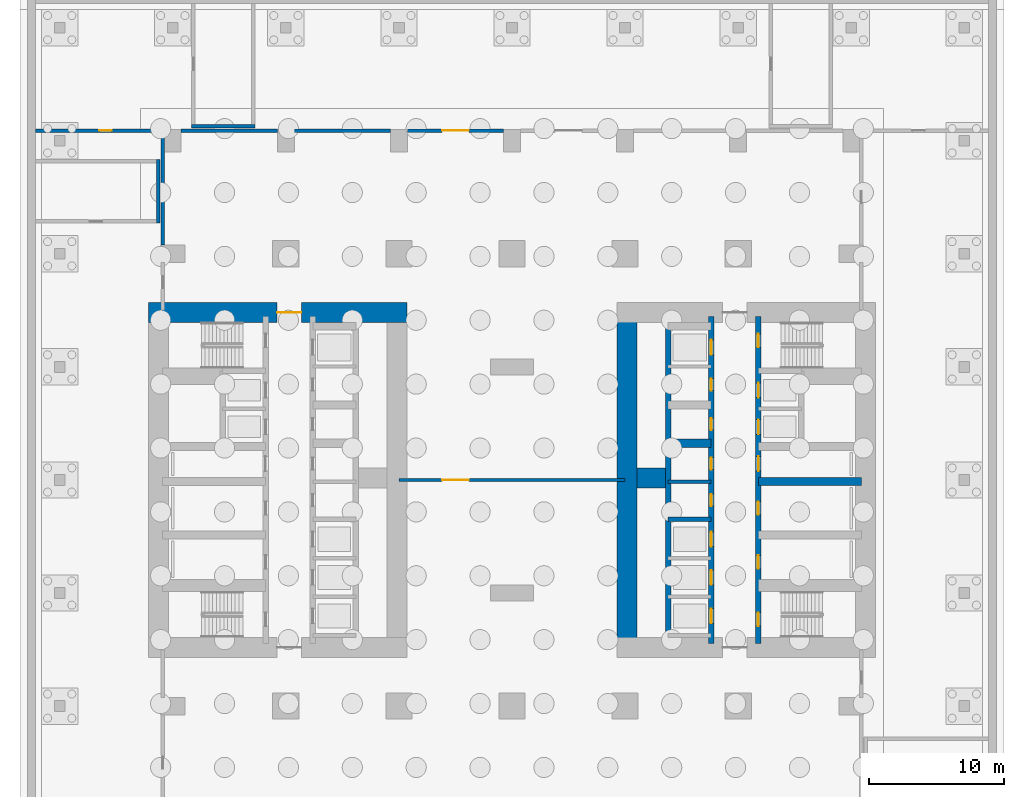
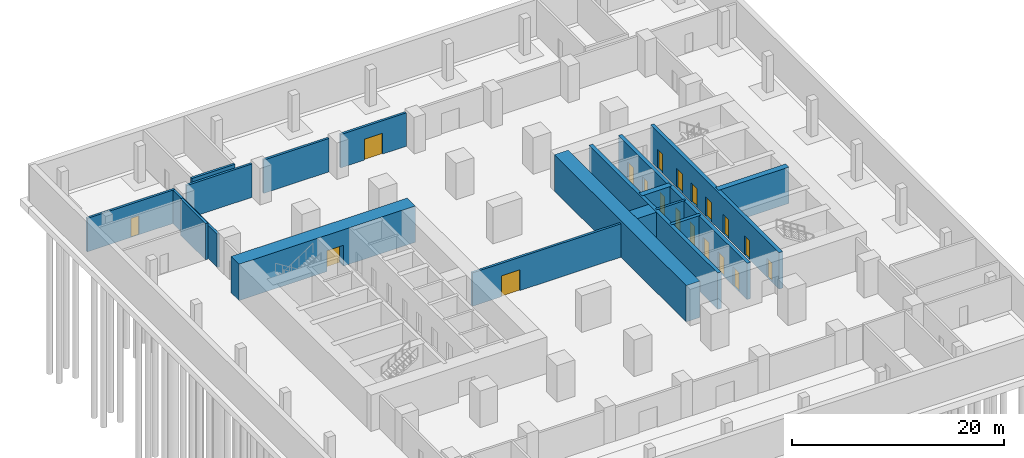
# One storey, part 6 of 11: 19 doors, 18 walls, 19 openings.
"""IFC4 building model written with IfcOpenShell, lengths in metres."""

from ifc_helpers import new_model, si_unit, direction, frame, frame_2d, origin, place, context, subcontext, project, spatial, rectangle, extrude, material, layer, layer_set, type_object, element, fill, save


model = new_model("IFC4")

# Units and contexts
model_context = context("Model", 3, precision=1e-05, world=origin(), true_north=direction((0.0, 1.0)))
body_context = subcontext(model_context, "Body", "Model", "MODEL_VIEW")
ifc_project = project(units=[si_unit("LENGTHUNIT", "METRE"), si_unit("AREAUNIT", "SQUARE_METRE"), si_unit("VOLUMEUNIT", "CUBIC_METRE"), si_unit("PLANEANGLEUNIT", "RADIAN"), si_unit("MASSUNIT", "GRAM", prefix="KILO")], contexts=[model_context])

# Site, building, storey
site_placement = place(None, origin())
site = spatial("IfcSite", under=ifc_project, at=site_placement, CompositionType="ELEMENT")
building_placement = place(site_placement, origin())
building = spatial("IfcBuilding", under=site, at=building_placement, Name="Claustro Exchange Tower", CompositionType="ELEMENT")
storey_placement = place(building_placement, frame((0.0, 0.0, -8.39990234375)))
storey = spatial("IfcBuildingStorey", under=building, at=storey_placement, Name="B2", CompositionType="ELEMENT", Elevation=-8.39990234375)

# Wall, opening, door
ifc_material_1 = material(Name="Concrete blockwork, rendered", Category="masonry")
ifc_layer_1 = layer(ifc_material_1, 0.25)
ifc_layer_set_1 = layer_set([ifc_layer_1], Name="Concrete blockwork, rendered")
wall_type_1 = type_object("IfcWallType", Name="P4 250 blockwork wall", PredefinedType="PARTITIONING", material=ifc_layer_set_1)
wall_1_placement = place(storey_placement, frame((-10.199951171875, 51.14990234375, 0.0), z_axis=(0.0, 0.0, 1.0), x_axis=(1.0, 0.0, 0.0)))
wall_1 = element("IfcWall", 1, at=wall_1_placement, inside=storey, type_object=wall_type_1, Name="Partition P4 B2", PredefinedType="PARTITIONING", context=body_context, shape_type="SweptSolid", body=[
    extrude(rectangle(XDim=9.575927734375, YDim=0.25, at=frame_2d((4.7880859375, 0.0))), origin(), (0.0, 0.0, 1.0), 3.849853515625),
])
opening_1_placement = place(wall_1_placement, frame((4.75, 0.0, 0.0)))
opening_1 = element("IfcOpeningElement", 2, at=opening_1_placement, cuts=wall_1, Name="Opening D12", PredefinedType="OPENING", context=body_context, shape_type="SweptSolid", body=[
    extrude(rectangle(XDim=0.89990234375, YDim=2.199951171875, at=frame_2d((0.449951171875, 1.10009765625))), frame((0.0, 0.135009765625, 0.0), z_axis=(0.0, -1.0, 0.0), x_axis=(1.0, 0.0, 0.0)), (0.0, 0.0, 1.0), 0.27001953125),
])
ifc_material_2 = material(Name="Steel door, painted", Category="steel")
door_type_1 = type_object("IfcDoorType", Name="D12 900 x 2200 plant and store room door", OperationType="SINGLE_SWING_LEFT", PredefinedType="DOOR", material=ifc_material_2)
door_1_placement = place(opening_1_placement, frame((0.89990234375, 0.0, 0.0), z_axis=(0.0, 0.0, 1.0), x_axis=(-1.0, 0.0, 0.0)))
door_1 = element("IfcDoor", 3, at=door_1_placement, inside=storey, type_object=door_type_1, Name="Door D12 B2", OperationType="SINGLE_SWING_LEFT", OverallHeight=2.199951171875, OverallWidth=0.89990234375, PredefinedType="DOOR", context=body_context, shape_type="SweptSolid", body=[
    extrude(rectangle(XDim=0.89990234375, YDim=2.199951171875, at=frame_2d((0.449951171875, 1.10009765625))), frame((0.0, 0.02490234375, 0.0), z_axis=(0.0, -1.0, 0.0), x_axis=(1.0, 0.0, 0.0)), (0.0, 0.0, 1.0), 0.050048828125),
])
fill(opening_1, door_1)

# Walls
wall_2_placement = place(storey_placement, frame((0.6240234375, 51.14990234375, 0.0), z_axis=(0.0, 0.0, 1.0), x_axis=(1.0, 0.0, 0.0)))
element("IfcWall", 4, at=wall_2_placement, inside=storey, type_object=wall_type_1, Name="Partition P4 B2", PredefinedType="PARTITIONING", context=body_context, shape_type="SweptSolid", body=[
    extrude(rectangle(XDim=7.15185546875, YDim=0.25, at=frame_2d((3.575927734375, 0.0))), origin(), (0.0, 0.0, 1.0), 3.849853515625),
])
wall_3_placement = place(storey_placement, frame((9.02392578125, 51.14990234375, 0.0), z_axis=(0.0, 0.0, 1.0), x_axis=(1.0, 0.0, 0.0)))
element("IfcWall", 5, at=wall_3_placement, inside=storey, type_object=wall_type_1, Name="Partition P4 B2", PredefinedType="PARTITIONING", context=body_context, shape_type="SweptSolid", body=[
    extrude(rectangle(XDim=7.152099609375, YDim=0.25, at=frame_2d((3.576171875, 0.0))), origin(), (0.0, 0.0, 1.0), 3.849853515625),
])

# Wall, opening, door
wall_4_placement = place(storey_placement, frame((17.424072265625, 51.14990234375, 0.0), z_axis=(0.0, 0.0, 1.0), x_axis=(1.0, 0.0, 0.0)))
wall_4 = element("IfcWall", 6, at=wall_4_placement, inside=storey, type_object=wall_type_1, Name="Partition P4 B2", PredefinedType="PARTITIONING", context=body_context, shape_type="SweptSolid", body=[
    extrude(rectangle(XDim=7.15185546875, YDim=0.25, at=frame_2d((3.575927734375, 0.0))), origin(), (0.0, 0.0, 1.0), 3.849853515625),
])
opening_2_placement = place(wall_4_placement, frame((2.575927734375, 0.0, 0.0)))
opening_2 = element("IfcOpeningElement", 7, at=opening_2_placement, cuts=wall_4, Name="Opening D9", PredefinedType="OPENING", context=body_context, shape_type="SweptSolid", body=[
    extrude(rectangle(XDim=2.0, YDim=2.39990234375, at=frame_2d((1.0, 1.199951171875))), frame((0.0, 0.135009765625, 0.0), z_axis=(0.0, -1.0, 0.0), x_axis=(1.0, 0.0, 0.0)), (0.0, 0.0, 1.0), 0.27001953125),
])
ifc_material_3 = material(Name="Steel fire door, painted", Category="steel")
door_type_2 = type_object("IfcDoorType", Name="D9 2000 x 2400 plant room double door", OperationType="DOUBLE_DOOR_SINGLE_SWING", PredefinedType="DOOR", material=ifc_material_3)
door_2_placement = place(opening_2_placement, frame((2.0, 0.0, 0.0), z_axis=(0.0, 0.0, 1.0), x_axis=(-1.0, 0.0, 0.0)))
door_2 = element("IfcDoor", 8, at=door_2_placement, inside=storey, type_object=door_type_2, Name="Double door D9 B2", OperationType="DOUBLE_DOOR_SINGLE_SWING", OverallHeight=2.39990234375, OverallWidth=2.0, PredefinedType="DOOR", context=body_context, shape_type="SweptSolid", body=[
    extrude(rectangle(XDim=2.0, YDim=2.39990234375, at=frame_2d((1.0, 1.199951171875))), frame((0.0, 0.02490234375, 0.0), z_axis=(0.0, -1.0, 0.0), x_axis=(1.0, 0.0, 0.0)), (0.0, 0.0, 1.0), 0.050048828125),
])
fill(opening_2, door_2)

# Wall
wall_5_placement = place(storey_placement, frame((-0.75, 42.64892578125, 0.0), z_axis=(0.0, 0.0, 1.0), x_axis=(0.0, 1.0, 0.0)))
element("IfcWall", 9, at=wall_5_placement, inside=storey, type_object=wall_type_1, Name="Partition P4 B2", PredefinedType="PARTITIONING", context=body_context, shape_type="SweptSolid", body=[
    extrude(rectangle(XDim=8.376953125, YDim=0.25, at=frame_2d((4.1884765625, 0.0))), origin(), (0.0, 0.0, 1.0), 3.849853515625),
])

# Wall, opening, door
wall_6_placement = place(storey_placement, frame((16.820068359375, 25.199951171875, 0.0), z_axis=(0.0, 0.0, 1.0), x_axis=(1.0, 0.0, 0.0)))
wall_6 = element("IfcWall", 10, at=wall_6_placement, inside=storey, type_object=wall_type_1, Name="Partition P4 B2", PredefinedType="PARTITIONING", context=body_context, shape_type="SweptSolid", body=[
    extrude(rectangle(XDim=16.760009765625, YDim=0.25, at=frame_2d((8.3798828125, 0.0))), origin(), (0.0, 0.0, 1.0), 3.849853515625),
])
opening_3_placement = place(wall_6_placement, frame((3.179931640625, 0.0, 0.0)))
opening_3 = element("IfcOpeningElement", 11, at=opening_3_placement, cuts=wall_6, Name="Opening D9", PredefinedType="OPENING", context=body_context, shape_type="SweptSolid", body=[
    extrude(rectangle(XDim=2.0, YDim=2.39990234375, at=frame_2d((1.0, 1.199951171875))), frame((0.0, 0.135009765625, 0.0), z_axis=(0.0, -1.0, 0.0), x_axis=(1.0, 0.0, 0.0)), (0.0, 0.0, 1.0), 0.27001953125),
])
door_3_placement = place(opening_3_placement, origin())
door_3 = element("IfcDoor", 12, at=door_3_placement, inside=storey, type_object=door_type_2, Name="Double door D9 B2", OperationType="DOUBLE_DOOR_SINGLE_SWING", OverallHeight=2.39990234375, OverallWidth=2.0, PredefinedType="DOOR", context=body_context, shape_type="SweptSolid", body=[
    extrude(rectangle(XDim=2.0, YDim=2.39990234375, at=frame_2d((1.0, 1.199951171875))), frame((0.0, 0.02490234375, 0.0), z_axis=(0.0, -1.0, 0.0), x_axis=(1.0, 0.0, 0.0)), (0.0, 0.0, 1.0), 0.050048828125),
])
fill(opening_3, door_3)

ifc_material_4 = material(Name="Concrete HA-70 (C70/85)", Category="concrete")
ifc_layer_2 = layer(ifc_material_4, 1.5)
ifc_layer_set_2 = layer_set([ifc_layer_2], Name="Concrete HA-70 (C70/85)")
wall_type_2 = type_object("IfcWallType", Name="SW10 1500 core shear wall", PredefinedType="SHEAR", material=ifc_layer_set_2)
wall_7_placement = place(storey_placement, frame((-1.800048828125, 37.64990234375, 0.0), z_axis=(0.0, 0.0, 1.0), x_axis=(1.0, 0.0, 0.0)))
wall_7 = element("IfcWall", 13, at=wall_7_placement, inside=storey, type_object=wall_type_2, Name="Core wall SW10 W core N face B2", PredefinedType="SHEAR", context=body_context, shape_type="SweptSolid", body=[
    extrude(rectangle(XDim=19.199951171875, YDim=1.5, at=frame_2d((9.60009765625, 0.0))), origin(), (0.0, 0.0, 1.0), 4.199951171875),
])
opening_4_placement = place(wall_7_placement, frame((9.550048828125, 0.0, 0.0)))
opening_4 = element("IfcOpeningElement", 14, at=opening_4_placement, cuts=wall_7, Name="Opening D3", PredefinedType="OPENING", context=body_context, shape_type="SweptSolid", body=[
    extrude(rectangle(XDim=1.800048828125, YDim=2.39990234375, at=frame_2d((0.89990234375, 1.199951171875))), frame((0.0, 0.760009765625, 0.0), z_axis=(0.0, -1.0, 0.0), x_axis=(1.0, 0.0, 0.0)), (0.0, 0.0, 1.0), 1.52001953125),
])
ifc_material_5 = material(Name="Steel fire door, painted", Category="steel")
door_type_3 = type_object("IfcDoorType", Name="D3 1800 x 2400 fire-rated lobby double door", OperationType="DOUBLE_DOOR_SINGLE_SWING", PredefinedType="DOOR", material=ifc_material_5)
door_4_placement = place(opening_4_placement, origin())
door_4 = element("IfcDoor", 15, at=door_4_placement, inside=storey, type_object=door_type_3, Name="Lift lobby door D3 B2", OperationType="DOUBLE_DOOR_SINGLE_SWING", OverallHeight=2.39990234375, OverallWidth=1.800048828125, PredefinedType="DOOR", context=body_context, shape_type="SweptSolid", body=[
    extrude(rectangle(XDim=1.800048828125, YDim=2.39990234375, at=frame_2d((0.89990234375, 1.199951171875))), frame((0.0, 0.02490234375, 0.0), z_axis=(0.0, -1.0, 0.0), x_axis=(1.0, 0.0, 0.0)), (0.0, 0.0, 1.0), 0.050048828125),
])
fill(opening_4, door_4)

# Walls
ifc_material_6 = material(Name="Concrete HA-70 (C70/85)", Category="concrete")
ifc_layer_3 = layer(ifc_material_6, 1.5)
ifc_layer_set_3 = layer_set([ifc_layer_3], Name="Concrete HA-70 (C70/85)")
wall_type_3 = type_object("IfcWallType", Name="SW10X 1500 exposed core shear wall, board-marked face", PredefinedType="SHEAR", material=ifc_layer_set_3)
wall_8_placement = place(storey_placement, frame((33.75, 12.75, 0.0), z_axis=(0.0, 0.0, 1.0), x_axis=(0.0, 1.0, 0.0)))
element("IfcWall", 16, at=wall_8_placement, inside=storey, type_object=wall_type_3, Name="Core wall SW10X E core W face B2", PredefinedType="SHEAR", context=body_context, shape_type="SweptSolid", body=[
    extrude(rectangle(XDim=24.89990234375, YDim=1.5, at=frame_2d((12.449951171875, 0.0))), origin(), (0.0, 0.0, 1.0), 4.199951171875),
])
ifc_material_7 = material(Name="Concrete HA-50 (C50/60)", Category="concrete")
ifc_layer_4 = layer(ifc_material_7, 0.60009765625)
ifc_layer_set_4 = layer_set([ifc_layer_4], Name="Concrete HA-50 (C50/60)")
wall_type_4 = type_object("IfcWallType", Name="SW12 600 internal core wall, core base", PredefinedType="SHEAR", material=ifc_layer_set_4)
wall_9_placement = place(storey_placement, frame((51.14990234375, 25.10009765625, 0.0), z_axis=(0.0, 0.0, 1.0), x_axis=(-1.0, 0.0, 0.0)))
element("IfcWall", 17, at=wall_9_placement, inside=storey, type_object=wall_type_4, Name="Internal core wall E core B2", PredefinedType="SHEAR", context=body_context, shape_type="SweptSolid", body=[
    extrude(rectangle(XDim=7.64990234375, YDim=0.60009765625, at=frame_2d((3.824951171875, 0.0))), origin(), (0.0, 0.0, 1.0), 4.199951171875),
])
ifc_material_8 = material(Name="Concrete HA-70 (C70/85)", Category="concrete")
ifc_layer_5 = layer(ifc_material_8, 1.5)
ifc_layer_set_5 = layer_set([ifc_layer_5], Name="Concrete HA-70 (C70/85)")
wall_type_5 = type_object("IfcWallType", Name="SW13 1500 internal core wall, core base", PredefinedType="SHEAR", material=ifc_layer_set_5)
wall_10_placement = place(storey_placement, frame((36.60009765625, 25.35009765625, 0.0), z_axis=(0.0, 0.0, 1.0), x_axis=(-1.0, 0.0, 0.0)))
element("IfcWall", 18, at=wall_10_placement, inside=storey, type_object=wall_type_5, Name="Internal core wall E core B2", PredefinedType="SHEAR", context=body_context, shape_type="SweptSolid", body=[
    extrude(rectangle(XDim=2.10009765625, YDim=1.5, at=frame_2d((1.050048828125, 0.0))), origin(), (0.0, 0.0, 1.0), 4.199951171875),
])

# Wall, openings, doors
ifc_material_9 = material(Name="Concrete HA-70 (C70/85)", Category="concrete")
ifc_layer_6 = layer(ifc_material_9, 0.39990234375)
ifc_layer_set_6 = layer_set([ifc_layer_6], Name="Concrete HA-70 (C70/85)")
wall_type_6 = type_object("IfcWallType", Name="SW4B 400 internal core wall HA-70", PredefinedType="SHEAR", material=ifc_layer_set_6)
wall_11_placement = place(storey_placement, frame((43.5, 13.050048828125, 0.0), z_axis=(0.0, 0.0, 1.0), x_axis=(0.0, 1.0, 0.0)))
wall_11 = element("IfcWall", 19, at=wall_11_placement, inside=storey, type_object=wall_type_6, Name="Internal core wall SW4 E core B2", PredefinedType="SHEAR", context=body_context, shape_type="SweptSolid", body=[
    extrude(rectangle(XDim=24.300048828125, YDim=0.39990234375, at=frame_2d((12.14990234375, 0.0))), origin(), (0.0, 0.0, 1.0), 4.199951171875),
])
opening_5_placement = place(wall_11_placement, frame((1.300048828125, 0.0, 0.0)))
opening_5 = element("IfcOpeningElement", 20, at=opening_5_placement, cuts=wall_11, Name="Opening D4", PredefinedType="OPENING", context=body_context, shape_type="SweptSolid", body=[
    extrude(rectangle(XDim=1.0, YDim=2.199951171875, at=frame_2d((0.5, 1.10009765625))), frame((0.0, 0.2099609375, 0.0), z_axis=(0.0, -1.0, 0.0), x_axis=(1.0, 0.0, 0.0)), (0.0, 0.0, 1.0), 0.419921875),
])
opening_6_placement = place(wall_11_placement, frame((22.0, 0.0, 0.0)))
opening_6 = element("IfcOpeningElement", 21, at=opening_6_placement, cuts=wall_11, Name="Opening D4", PredefinedType="OPENING", context=body_context, shape_type="SweptSolid", body=[
    extrude(rectangle(XDim=1.0, YDim=2.199951171875, at=frame_2d((0.5, 1.10009765625))), frame((0.0, 0.2099609375, 0.0), z_axis=(0.0, -1.0, 0.0), x_axis=(1.0, 0.0, 0.0)), (0.0, 0.0, 1.0), 0.419921875),
])
opening_7_placement = place(wall_11_placement, frame((5.550048828125, 0.0, 0.0)))
opening_7 = element("IfcOpeningElement", 22, at=opening_7_placement, cuts=wall_11, Name="Opening D1", PredefinedType="OPENING", context=body_context, shape_type="SweptSolid", body=[
    extrude(rectangle(XDim=1.0, YDim=2.199951171875, at=frame_2d((0.5, 1.10009765625))), frame((0.0, 0.2099609375, 0.0), z_axis=(0.0, -1.0, 0.0), x_axis=(1.0, 0.0, 0.0)), (0.0, 0.0, 1.0), 0.419921875),
])
opening_8_placement = place(wall_11_placement, frame((9.550048828125, 0.0, 0.0)))
opening_8 = element("IfcOpeningElement", 23, at=opening_8_placement, cuts=wall_11, Name="Opening D1", PredefinedType="OPENING", context=body_context, shape_type="SweptSolid", body=[
    extrude(rectangle(XDim=1.0, YDim=2.199951171875, at=frame_2d((0.5, 1.10009765625))), frame((0.0, 0.2099609375, 0.0), z_axis=(0.0, -1.0, 0.0), x_axis=(1.0, 0.0, 0.0)), (0.0, 0.0, 1.0), 0.419921875),
])
opening_9_placement = place(wall_11_placement, frame((12.800048828125, 0.0, 0.0)))
opening_9 = element("IfcOpeningElement", 24, at=opening_9_placement, cuts=wall_11, Name="Opening D10", PredefinedType="OPENING", context=body_context, shape_type="SweptSolid", body=[
    extrude(rectangle(XDim=1.10009765625, YDim=2.199951171875, at=frame_2d((0.550048828125, 1.10009765625))), frame((0.0, 0.2099609375, 0.0), z_axis=(0.0, -1.0, 0.0), x_axis=(1.0, 0.0, 0.0)), (0.0, 0.0, 1.0), 0.419921875),
])
opening_10_placement = place(wall_11_placement, frame((15.53759765625, 0.0, 0.0)))
opening_10 = element("IfcOpeningElement", 25, at=opening_10_placement, cuts=wall_11, Name="Opening LD", PredefinedType="OPENING", context=body_context, shape_type="SweptSolid", body=[
    extrude(rectangle(XDim=1.10009765625, YDim=2.199951171875, at=frame_2d((0.550048828125, 1.10009765625))), frame((0.0, 0.2099609375, 0.0), z_axis=(0.0, -1.0, 0.0), x_axis=(1.0, 0.0, 0.0)), (0.0, 0.0, 1.0), 0.419921875),
])
opening_11_placement = place(wall_11_placement, frame((18.262451171875, 0.0, 0.0)))
opening_11 = element("IfcOpeningElement", 26, at=opening_11_placement, cuts=wall_11, Name="Opening LD", PredefinedType="OPENING", context=body_context, shape_type="SweptSolid", body=[
    extrude(rectangle(XDim=1.10009765625, YDim=2.199951171875, at=frame_2d((0.550048828125, 1.10009765625))), frame((0.0, 0.2099609375, 0.0), z_axis=(0.0, -1.0, 0.0), x_axis=(1.0, 0.0, 0.0)), (0.0, 0.0, 1.0), 0.419921875),
])
ifc_material_10 = material(Name="Timber door, oak veneer", Category="wood")
door_type_4 = type_object("IfcDoorType", Name="D1 1000 x 2200 single door", OperationType="SINGLE_SWING_LEFT", PredefinedType="DOOR", material=ifc_material_10)
door_5_placement = place(opening_7_placement, frame((1.0, 0.0, 0.0), z_axis=(0.0, 0.0, 1.0), x_axis=(-1.0, 0.0, 0.0)))
door_5 = element("IfcDoor", 27, at=door_5_placement, inside=storey, type_object=door_type_4, Name="Door D1 B2", OperationType="SINGLE_SWING_RIGHT", OverallHeight=2.199951171875, OverallWidth=1.0, PredefinedType="DOOR", context=body_context, shape_type="SweptSolid", body=[
    extrude(rectangle(XDim=1.0, YDim=2.199951171875, at=frame_2d((0.5, 1.10009765625))), frame((0.0, 0.02490234375, 0.0), z_axis=(0.0, -1.0, 0.0), x_axis=(1.0, 0.0, 0.0)), (0.0, 0.0, 1.0), 0.050048828125),
])
fill(opening_7, door_5)
door_6_placement = place(opening_8_placement, frame((1.0, 0.0, 0.0), z_axis=(0.0, 0.0, 1.0), x_axis=(-1.0, 0.0, 0.0)))
door_6 = element("IfcDoor", 28, at=door_6_placement, inside=storey, type_object=door_type_4, Name="Door D1 B2", OperationType="SINGLE_SWING_LEFT", OverallHeight=2.199951171875, OverallWidth=1.0, PredefinedType="DOOR", context=body_context, shape_type="SweptSolid", body=[
    extrude(rectangle(XDim=1.0, YDim=2.199951171875, at=frame_2d((0.5, 1.10009765625))), frame((0.0, 0.02490234375, 0.0), z_axis=(0.0, -1.0, 0.0), x_axis=(1.0, 0.0, 0.0)), (0.0, 0.0, 1.0), 0.050048828125),
])
fill(opening_8, door_6)
ifc_material_11 = material(Name="Timber door, oak veneer", Category="wood")
door_type_5 = type_object("IfcDoorType", Name="D10 1100 x 2200 accessible WC door", OperationType="SINGLE_SWING_LEFT", PredefinedType="DOOR", material=ifc_material_11)
door_7_placement = place(opening_9_placement, origin())
door_7 = element("IfcDoor", 29, at=door_7_placement, inside=storey, type_object=door_type_5, Name="Accessible WC door D10 B2", OperationType="SINGLE_SWING_RIGHT", OverallHeight=2.199951171875, OverallWidth=1.10009765625, PredefinedType="DOOR", context=body_context, shape_type="SweptSolid", body=[
    extrude(rectangle(XDim=1.10009765625, YDim=2.199951171875, at=frame_2d((0.550048828125, 1.10009765625))), frame((0.0, 0.02490234375, 0.0), z_axis=(0.0, -1.0, 0.0), x_axis=(1.0, 0.0, 0.0)), (0.0, 0.0, 1.0), 0.050048828125),
])
fill(opening_9, door_7)
ifc_material_12 = material(Name="Steel fire door, painted", Category="steel")
door_type_6 = type_object("IfcDoorType", Name="D4 1000 x 2200 fire-rated stair door", OperationType="SINGLE_SWING_LEFT", PredefinedType="DOOR", material=ifc_material_12)
door_8_placement = place(opening_5_placement, frame((1.0, 0.0, 0.0), z_axis=(0.0, 0.0, 1.0), x_axis=(-1.0, 0.0, 0.0)))
door_8 = element("IfcDoor", 30, at=door_8_placement, inside=storey, type_object=door_type_6, Name="Stair door D4 B2", OperationType="SINGLE_SWING_RIGHT", OverallHeight=2.199951171875, OverallWidth=1.0, PredefinedType="DOOR", context=body_context, shape_type="SweptSolid", body=[
    extrude(rectangle(XDim=1.0, YDim=2.199951171875, at=frame_2d((0.5, 1.10009765625))), frame((0.0, 0.02490234375, 0.0), z_axis=(0.0, -1.0, 0.0), x_axis=(1.0, 0.0, 0.0)), (0.0, 0.0, 1.0), 0.050048828125),
])
fill(opening_5, door_8)
door_9_placement = place(opening_6_placement, frame((1.0, 0.0, 0.0), z_axis=(0.0, 0.0, 1.0), x_axis=(-1.0, 0.0, 0.0)))
door_9 = element("IfcDoor", 31, at=door_9_placement, inside=storey, type_object=door_type_6, Name="Stair door D4 B2", OperationType="SINGLE_SWING_LEFT", OverallHeight=2.199951171875, OverallWidth=1.0, PredefinedType="DOOR", context=body_context, shape_type="SweptSolid", body=[
    extrude(rectangle(XDim=1.0, YDim=2.199951171875, at=frame_2d((0.5, 1.10009765625))), frame((0.0, 0.02490234375, 0.0), z_axis=(0.0, -1.0, 0.0), x_axis=(1.0, 0.0, 0.0)), (0.0, 0.0, 1.0), 0.050048828125),
])
fill(opening_6, door_9)
ifc_material_13 = material(Name="Stainless steel sliding door", Category="steel")
door_type_7 = type_object("IfcDoorType", Name="LD 1100 x 2200 lift landing door", OperationType="DOUBLE_DOOR_SLIDING", PredefinedType="DOOR", material=ifc_material_13)
door_10_placement = place(opening_10_placement, origin())
door_10 = element("IfcDoor", 32, at=door_10_placement, inside=storey, type_object=door_type_7, Name="Lift landing door LEE1 LD B2", OperationType="DOUBLE_DOOR_SLIDING", OverallHeight=2.199951171875, OverallWidth=1.10009765625, PredefinedType="DOOR", context=body_context, shape_type="SweptSolid", body=[
    extrude(rectangle(XDim=1.10009765625, YDim=2.199951171875, at=frame_2d((0.550048828125, 1.10009765625))), frame((0.0, 0.02490234375, 0.0), z_axis=(0.0, -1.0, 0.0), x_axis=(1.0, 0.0, 0.0)), (0.0, 0.0, 1.0), 0.050048828125),
])
fill(opening_10, door_10)
door_11_placement = place(opening_11_placement, origin())
door_11 = element("IfcDoor", 33, at=door_11_placement, inside=storey, type_object=door_type_7, Name="Lift landing door LEE2 LD B2", OperationType="DOUBLE_DOOR_SLIDING", OverallHeight=2.199951171875, OverallWidth=1.10009765625, PredefinedType="DOOR", context=body_context, shape_type="SweptSolid", body=[
    extrude(rectangle(XDim=1.10009765625, YDim=2.199951171875, at=frame_2d((0.550048828125, 1.10009765625))), frame((0.0, 0.02490234375, 0.0), z_axis=(0.0, -1.0, 0.0), x_axis=(1.0, 0.0, 0.0)), (0.0, 0.0, 1.0), 0.050048828125),
])
fill(opening_11, door_11)

wall_12_placement = place(storey_placement, frame((40.0, 13.050048828125, 0.0), z_axis=(0.0, 0.0, 1.0), x_axis=(0.0, 1.0, 0.0)))
wall_12 = element("IfcWall", 34, at=wall_12_placement, inside=storey, type_object=wall_type_6, Name="Internal core wall SW4 E core B2", PredefinedType="SHEAR", context=body_context, shape_type="SweptSolid", body=[
    extrude(rectangle(XDim=24.300048828125, YDim=0.39990234375, at=frame_2d((12.14990234375, 0.0))), origin(), (0.0, 0.0, 1.0), 4.199951171875),
])
opening_12_placement = place(wall_12_placement, frame((1.5, 0.0, 0.0)))
opening_12 = element("IfcOpeningElement", 35, at=opening_12_placement, cuts=wall_12, Name="Opening LD", PredefinedType="OPENING", context=body_context, shape_type="SweptSolid", body=[
    extrude(rectangle(XDim=1.10009765625, YDim=2.199951171875, at=frame_2d((0.550048828125, 1.10009765625))), frame((0.0, 0.2099609375, 0.0), z_axis=(0.0, -1.0, 0.0), x_axis=(1.0, 0.0, 0.0)), (0.0, 0.0, 1.0), 0.419921875),
])
opening_13_placement = place(wall_12_placement, frame((4.35009765625, 0.0, 0.0)))
opening_13 = element("IfcOpeningElement", 36, at=opening_13_placement, cuts=wall_12, Name="Opening LD", PredefinedType="OPENING", context=body_context, shape_type="SweptSolid", body=[
    extrude(rectangle(XDim=1.10009765625, YDim=2.199951171875, at=frame_2d((0.550048828125, 1.10009765625))), frame((0.0, 0.2099609375, 0.0), z_axis=(0.0, -1.0, 0.0), x_axis=(1.0, 0.0, 0.0)), (0.0, 0.0, 1.0), 0.419921875),
])
opening_14_placement = place(wall_12_placement, frame((7.199951171875, 0.0, 0.0)))
opening_14 = element("IfcOpeningElement", 37, at=opening_14_placement, cuts=wall_12, Name="Opening LD", PredefinedType="OPENING", context=body_context, shape_type="SweptSolid", body=[
    extrude(rectangle(XDim=1.10009765625, YDim=2.199951171875, at=frame_2d((0.550048828125, 1.10009765625))), frame((0.0, 0.2099609375, 0.0), z_axis=(0.0, -1.0, 0.0), x_axis=(1.0, 0.0, 0.0)), (0.0, 0.0, 1.0), 0.419921875),
])
opening_15_placement = place(wall_12_placement, frame((21.449951171875, 0.0, 0.0)))
opening_15 = element("IfcOpeningElement", 38, at=opening_15_placement, cuts=wall_12, Name="Opening LD", PredefinedType="OPENING", context=body_context, shape_type="SweptSolid", body=[
    extrude(rectangle(XDim=1.10009765625, YDim=2.199951171875, at=frame_2d((0.550048828125, 1.10009765625))), frame((0.0, 0.2099609375, 0.0), z_axis=(0.0, -1.0, 0.0), x_axis=(1.0, 0.0, 0.0)), (0.0, 0.0, 1.0), 0.419921875),
])
opening_16_placement = place(wall_12_placement, frame((10.199951171875, 0.0, 0.0)))
opening_16 = element("IfcOpeningElement", 39, at=opening_16_placement, cuts=wall_12, Name="Opening D5", PredefinedType="OPENING", context=body_context, shape_type="SweptSolid", body=[
    extrude(rectangle(XDim=0.89990234375, YDim=2.199951171875, at=frame_2d((0.449951171875, 1.10009765625))), frame((0.0, 0.2099609375, 0.0), z_axis=(0.0, -1.0, 0.0), x_axis=(1.0, 0.0, 0.0)), (0.0, 0.0, 1.0), 0.419921875),
])
opening_17_placement = place(wall_12_placement, frame((12.91259765625, 0.0, 0.0)))
opening_17 = element("IfcOpeningElement", 40, at=opening_17_placement, cuts=wall_12, Name="Opening D5", PredefinedType="OPENING", context=body_context, shape_type="SweptSolid", body=[
    extrude(rectangle(XDim=0.89990234375, YDim=2.199951171875, at=frame_2d((0.449951171875, 1.10009765625))), frame((0.0, 0.2099609375, 0.0), z_axis=(0.0, -1.0, 0.0), x_axis=(1.0, 0.0, 0.0)), (0.0, 0.0, 1.0), 0.419921875),
])
opening_18_placement = place(wall_12_placement, frame((15.85009765625, 0.0, 0.0)))
opening_18 = element("IfcOpeningElement", 41, at=opening_18_placement, cuts=wall_12, Name="Opening D5", PredefinedType="OPENING", context=body_context, shape_type="SweptSolid", body=[
    extrude(rectangle(XDim=0.89990234375, YDim=2.199951171875, at=frame_2d((0.449951171875, 1.10009765625))), frame((0.0, 0.2099609375, 0.0), z_axis=(0.0, -1.0, 0.0), x_axis=(1.0, 0.0, 0.0)), (0.0, 0.0, 1.0), 0.419921875),
])
opening_19_placement = place(wall_12_placement, frame((18.78759765625, 0.0, 0.0)))
opening_19 = element("IfcOpeningElement", 42, at=opening_19_placement, cuts=wall_12, Name="Opening D5", PredefinedType="OPENING", context=body_context, shape_type="SweptSolid", body=[
    extrude(rectangle(XDim=0.89990234375, YDim=2.199951171875, at=frame_2d((0.449951171875, 1.10009765625))), frame((0.0, 0.2099609375, 0.0), z_axis=(0.0, -1.0, 0.0), x_axis=(1.0, 0.0, 0.0)), (0.0, 0.0, 1.0), 0.419921875),
])
ifc_material_14 = material(Name="Steel door, painted", Category="steel")
door_type_8 = type_object("IfcDoorType", Name="D5 900 x 2200 store door", OperationType="SINGLE_SWING_LEFT", PredefinedType="DOOR", material=ifc_material_14)
door_12_placement = place(opening_16_placement, origin())
door_12 = element("IfcDoor", 43, at=door_12_placement, inside=storey, type_object=door_type_8, Name="Core store door D5 B2", OperationType="SINGLE_SWING_RIGHT", OverallHeight=2.199951171875, OverallWidth=0.89990234375, PredefinedType="DOOR", context=body_context, shape_type="SweptSolid", body=[
    extrude(rectangle(XDim=0.89990234375, YDim=2.199951171875, at=frame_2d((0.449951171875, 1.10009765625))), frame((0.0, 0.02490234375, 0.0), z_axis=(0.0, -1.0, 0.0), x_axis=(1.0, 0.0, 0.0)), (0.0, 0.0, 1.0), 0.050048828125),
])
fill(opening_16, door_12)
door_13_placement = place(opening_17_placement, origin())
door_13 = element("IfcDoor", 44, at=door_13_placement, inside=storey, type_object=door_type_8, Name="Core store door D5 B2", OperationType="SINGLE_SWING_RIGHT", OverallHeight=2.199951171875, OverallWidth=0.89990234375, PredefinedType="DOOR", context=body_context, shape_type="SweptSolid", body=[
    extrude(rectangle(XDim=0.89990234375, YDim=2.199951171875, at=frame_2d((0.449951171875, 1.10009765625))), frame((0.0, 0.02490234375, 0.0), z_axis=(0.0, -1.0, 0.0), x_axis=(1.0, 0.0, 0.0)), (0.0, 0.0, 1.0), 0.050048828125),
])
fill(opening_17, door_13)
door_14_placement = place(opening_18_placement, origin())
door_14 = element("IfcDoor", 45, at=door_14_placement, inside=storey, type_object=door_type_8, Name="Core store door D5 B2", OperationType="SINGLE_SWING_LEFT", OverallHeight=2.199951171875, OverallWidth=0.89990234375, PredefinedType="DOOR", context=body_context, shape_type="SweptSolid", body=[
    extrude(rectangle(XDim=0.89990234375, YDim=2.199951171875, at=frame_2d((0.449951171875, 1.10009765625))), frame((0.0, 0.02490234375, 0.0), z_axis=(0.0, -1.0, 0.0), x_axis=(1.0, 0.0, 0.0)), (0.0, 0.0, 1.0), 0.050048828125),
])
fill(opening_18, door_14)
door_15_placement = place(opening_19_placement, origin())
door_15 = element("IfcDoor", 46, at=door_15_placement, inside=storey, type_object=door_type_8, Name="Core store door D5 B2", OperationType="SINGLE_SWING_RIGHT", OverallHeight=2.199951171875, OverallWidth=0.89990234375, PredefinedType="DOOR", context=body_context, shape_type="SweptSolid", body=[
    extrude(rectangle(XDim=0.89990234375, YDim=2.199951171875, at=frame_2d((0.449951171875, 1.10009765625))), frame((0.0, 0.02490234375, 0.0), z_axis=(0.0, -1.0, 0.0), x_axis=(1.0, 0.0, 0.0)), (0.0, 0.0, 1.0), 0.050048828125),
])
fill(opening_19, door_15)
door_16_placement = place(opening_12_placement, origin())
door_16 = element("IfcDoor", 47, at=door_16_placement, inside=storey, type_object=door_type_7, Name="Lift landing door LLE1 LD B2", OperationType="DOUBLE_DOOR_SLIDING", OverallHeight=2.199951171875, OverallWidth=1.10009765625, PredefinedType="DOOR", context=body_context, shape_type="SweptSolid", body=[
    extrude(rectangle(XDim=1.10009765625, YDim=2.199951171875, at=frame_2d((0.550048828125, 1.10009765625))), frame((0.0, 0.02490234375, 0.0), z_axis=(0.0, -1.0, 0.0), x_axis=(1.0, 0.0, 0.0)), (0.0, 0.0, 1.0), 0.050048828125),
])
fill(opening_12, door_16)
door_17_placement = place(opening_13_placement, origin())
door_17 = element("IfcDoor", 48, at=door_17_placement, inside=storey, type_object=door_type_7, Name="Lift landing door LLE2 LD B2", OperationType="DOUBLE_DOOR_SLIDING", OverallHeight=2.199951171875, OverallWidth=1.10009765625, PredefinedType="DOOR", context=body_context, shape_type="SweptSolid", body=[
    extrude(rectangle(XDim=1.10009765625, YDim=2.199951171875, at=frame_2d((0.550048828125, 1.10009765625))), frame((0.0, 0.02490234375, 0.0), z_axis=(0.0, -1.0, 0.0), x_axis=(1.0, 0.0, 0.0)), (0.0, 0.0, 1.0), 0.050048828125),
])
fill(opening_13, door_17)
door_18_placement = place(opening_14_placement, origin())
door_18 = element("IfcDoor", 49, at=door_18_placement, inside=storey, type_object=door_type_7, Name="Lift landing door LLE3 LD B2", OperationType="DOUBLE_DOOR_SLIDING", OverallHeight=2.199951171875, OverallWidth=1.10009765625, PredefinedType="DOOR", context=body_context, shape_type="SweptSolid", body=[
    extrude(rectangle(XDim=1.10009765625, YDim=2.199951171875, at=frame_2d((0.550048828125, 1.10009765625))), frame((0.0, 0.02490234375, 0.0), z_axis=(0.0, -1.0, 0.0), x_axis=(1.0, 0.0, 0.0)), (0.0, 0.0, 1.0), 0.050048828125),
])
fill(opening_14, door_18)
door_19_placement = place(opening_15_placement, origin())
door_19 = element("IfcDoor", 50, at=door_19_placement, inside=storey, type_object=door_type_7, Name="Lift landing door LSE1 LD B2", OperationType="DOUBLE_DOOR_SLIDING", OverallHeight=2.199951171875, OverallWidth=1.10009765625, PredefinedType="DOOR", context=body_context, shape_type="SweptSolid", body=[
    extrude(rectangle(XDim=1.10009765625, YDim=2.199951171875, at=frame_2d((0.550048828125, 1.10009765625))), frame((0.0, 0.02490234375, 0.0), z_axis=(0.0, -1.0, 0.0), x_axis=(1.0, 0.0, 0.0)), (0.0, 0.0, 1.0), 0.050048828125),
])
fill(opening_15, door_19)

# Walls
wall_13_placement = place(storey_placement, frame((36.800048828125, 13.050048828125, 0.0), z_axis=(0.0, 0.0, 1.0), x_axis=(0.0, 1.0, 0.0)))
element("IfcWall", 51, at=wall_13_placement, inside=storey, type_object=wall_type_6, Name="Internal core wall SW4 E core B2", PredefinedType="SHEAR", context=body_context, shape_type="SweptSolid", body=[
    extrude(rectangle(XDim=24.300048828125, YDim=0.39990234375, at=frame_2d((12.14990234375, 0.0))), origin(), (0.0, 0.0, 1.0), 4.199951171875),
])
ifc_material_15 = material(Name="Concrete HA-50 (C50/60)", Category="concrete")
ifc_layer_7 = layer(ifc_material_15, 0.25)
ifc_layer_set_7 = layer_set([ifc_layer_7], Name="Concrete HA-50 (C50/60)")
wall_type_7 = type_object("IfcWallType", Name="SW5 250 lift shaft divider wall", PredefinedType="SHEAR", material=ifc_layer_set_7)
wall_14_placement = place(storey_placement, frame((40.0, 25.074951171875, 0.0), z_axis=(0.0, 0.0, 1.0), x_axis=(-1.0, 0.0, 0.0)))
element("IfcWall", 52, at=wall_14_placement, inside=storey, type_object=wall_type_7, Name="Lift shaft wall E core B2", PredefinedType="SHEAR", context=body_context, shape_type="SweptSolid", body=[
    extrude(rectangle(XDim=3.199951171875, YDim=0.25, at=frame_2d((1.60009765625, 0.0))), origin(), (0.0, 0.0, 1.0), 4.199951171875),
])
ifc_material_16 = material(Name="Concrete HA-50 (C50/60)", Category="concrete")
ifc_layer_8 = layer(ifc_material_16, 0.35009765625)
ifc_layer_set_8 = layer_set([ifc_layer_8], Name="Concrete HA-50 (C50/60)")
wall_type_8 = type_object("IfcWallType", Name="SW6B 350 lift shaft end wall", PredefinedType="SHEAR", material=ifc_layer_set_8)
wall_15_placement = place(storey_placement, frame((40.0, 22.27490234375, 0.0), z_axis=(0.0, 0.0, 1.0), x_axis=(-1.0, 0.0, 0.0)))
element("IfcWall", 53, at=wall_15_placement, inside=storey, type_object=wall_type_8, Name="Lift shaft wall E core B2", PredefinedType="SHEAR", context=body_context, shape_type="SweptSolid", body=[
    extrude(rectangle(XDim=3.199951171875, YDim=0.35009765625, at=frame_2d((1.60009765625, 0.0))), origin(), (0.0, 0.0, 1.0), 4.199951171875),
])
ifc_material_17 = material(Name="Concrete HA-50 (C50/60)", Category="concrete")
ifc_layer_9 = layer(ifc_material_17, 0.60009765625)
ifc_layer_set_9 = layer_set([ifc_layer_9], Name="Concrete HA-50 (C50/60)")
wall_type_9 = type_object("IfcWallType", Name="SW6C 600 lift shaft end wall", PredefinedType="SHEAR", material=ifc_layer_set_9)
wall_16_placement = place(storey_placement, frame((40.0, 27.925048828125, 0.0), z_axis=(0.0, 0.0, 1.0), x_axis=(-1.0, 0.0, 0.0)))
element("IfcWall", 54, at=wall_16_placement, inside=storey, type_object=wall_type_9, Name="Lift shaft wall E core B2", PredefinedType="SHEAR", context=body_context, shape_type="SweptSolid", body=[
    extrude(rectangle(XDim=3.199951171875, YDim=0.60009765625, at=frame_2d((1.60009765625, 0.0))), origin(), (0.0, 0.0, 1.0), 4.199951171875),
])
ifc_material_18 = material(Name="Concrete HA-40 (C40/50)", Category="concrete")
ifc_layer_10 = layer(ifc_material_18, 0.25)
ifc_layer_set_10 = layer_set([ifc_layer_10], Name="Concrete HA-40 (C40/50)")
wall_type_10 = type_object("IfcWallType", Name="SW7 250 reinforced concrete stair wall", PredefinedType="SOLIDWALL", material=ifc_layer_set_10)
wall_17_placement = place(storey_placement, frame((1.39990234375, 51.47509765625, 0.0), z_axis=(0.0, 0.0, 1.0), x_axis=(1.0, 0.0, 0.0)))
element("IfcWall", 55, at=wall_17_placement, inside=storey, type_object=wall_type_10, Name="Stair enclosure wall STP3 SW7 B2", PredefinedType="SOLIDWALL", context=body_context, shape_type="SweptSolid", body=[
    extrude(rectangle(XDim=4.7001953125, YDim=0.25, at=frame_2d((2.35009765625, 0.0))), origin(), (0.0, 0.0, 1.0), 4.199951171875),
])
wall_18_placement = place(storey_placement, frame((-1.074951171875, 44.300048828125, 0.0), z_axis=(0.0, 0.0, 1.0), x_axis=(0.0, 1.0, 0.0)))
element("IfcWall", 56, at=wall_18_placement, inside=storey, type_object=wall_type_10, Name="Stair enclosure wall STP5 SW7 B2", PredefinedType="SOLIDWALL", context=body_context, shape_type="SweptSolid", body=[
    extrude(rectangle(XDim=4.699951171875, YDim=0.25, at=frame_2d((2.35009765625, 0.0))), origin(), (0.0, 0.0, 1.0), 4.199951171875),
])

save(model, "model.ifc")
